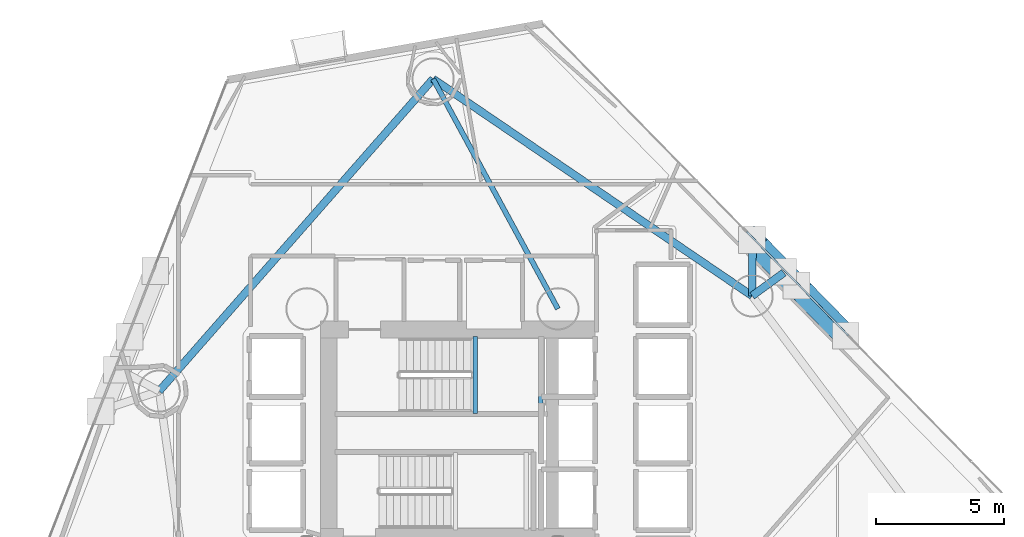
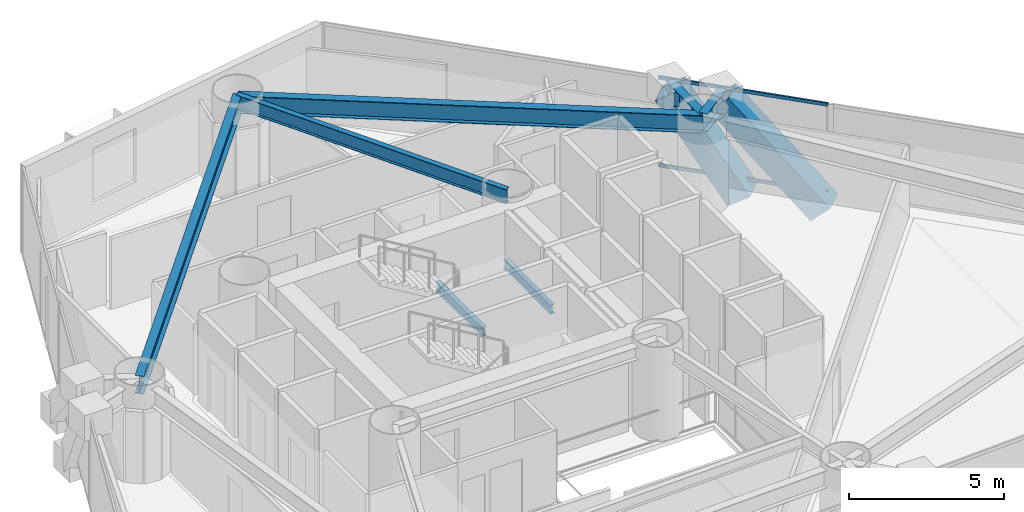
# One storey, part 9 of 23: 7 beams, 4 members, 1 element without a shape of its own.
"""IFC4 building model written with IfcOpenShell, lengths in metres."""

from ifc_helpers import new_model, si_unit, direction, frame, origin, origin_2d, place, context, subcontext, project, spatial, hollow_rectangle, i_section, extrude, material, layer, layer_set, material_profile, profile_set, type_object, element, aggregate, save


model = new_model("IFC4")

# Units and contexts
model_context = context("Model", 3, precision=1e-05, world=origin(), true_north=direction((0.0, 1.0)))
body_context = subcontext(model_context, "Body", "Model", "MODEL_VIEW")
ifc_project = project(units=[si_unit("LENGTHUNIT", "METRE"), si_unit("AREAUNIT", "SQUARE_METRE"), si_unit("VOLUMEUNIT", "CUBIC_METRE"), si_unit("PLANEANGLEUNIT", "RADIAN"), si_unit("MASSUNIT", "GRAM", prefix="KILO")], contexts=[model_context])

# Site, building, storey
site_placement = place(None, origin())
site = spatial("IfcSite", under=ifc_project, at=site_placement, CompositionType="ELEMENT")
building_placement = place(site_placement, origin())
building = spatial("IfcBuilding", under=site, at=building_placement, Name="Qianvela Tower", CompositionType="ELEMENT")
storey_placement = place(building_placement, frame((0.0, 0.0, 56.199951171875)))
storey = spatial("IfcBuildingStorey", under=building, at=storey_placement, Name="L13", CompositionType="ELEMENT", Elevation=56.199951171875)

# Beams
ifc_material_1 = material(Name="Steel Q355B", Category="steel")
ifc_material_profile_1 = material_profile(ifc_material_1, i_section(OverallWidth=0.175048828125, OverallDepth=0.35009765625, WebThickness=0.007080078125, FlangeThickness=0.010986328125, at=origin_2d()), Name="HN350x175x7x11")
ifc_profile_set_1 = profile_set([ifc_material_profile_1], Name="Steel Q355B")
beam_type_1 = type_object("IfcBeamType", Name="BM-HN350-JOIST", PredefinedType="JOIST", material=ifc_profile_set_1)
for number, where, z_axis, x_axis, name in (
    (1, (35.179931640625, 29.4599609375, 1.47509765625), (0.0, 1.0, 0.0), (-1.0, 0.0, 0.0), "L13 Stair ST-1 Landing Support Beam 1.1"),
    (2, (37.719970703125, 29.4599609375, 1.47509765625), (0.0, 1.0, 0.0), (-1.0, 0.0, 0.0), "L13 Stair ST-1 Landing Support Beam 1.2"),
):
    element("IfcBeam", number, at=place(storey_placement, frame(where, z_axis=z_axis, x_axis=x_axis)), inside=storey, type_object=beam_type_1, Name=name, PredefinedType="JOIST", context=body_context, shape_type="SweptSolid", body=[
        extrude(i_section(OverallWidth=0.175048828125, OverallDepth=0.35009765625, WebThickness=0.007080078125, FlangeThickness=0.010986328125, at=origin_2d()), origin(), (0.0, 0.0, 1.0), 3.02001953125),
    ])
ifc_material_2 = material(Name="Steel Q355B", Category="steel")
ifc_material_profile_2 = material_profile(ifc_material_2, i_section(OverallWidth=0.199951171875, OverallDepth=0.550048828125, WebThickness=0.010009765625, FlangeThickness=0.01611328125, at=origin_2d()), Name="HN550x200x10x16")
ifc_profile_set_2 = profile_set([ifc_material_profile_2], Name="Steel Q355B")
beam_type_2 = type_object("IfcBeamType", Name="BM-HN550-GIRD", PredefinedType="BEAM", material=ifc_profile_set_2)
beam_1_placement = place(storey_placement, frame((38.39990234375, 33.550048828125, 3.2431640625), z_axis=(-0.477069714043, 0.878865454972, 0.0), x_axis=(-0.878865454972, -0.477069714043, 0.0)))
element("IfcBeam", 3, at=beam_1_placement, inside=storey, type_object=beam_type_2, Name="L13 Radial Primary Floor Girder 3", PredefinedType="BEAM", context=body_context, shape_type="SweptSolid", body=[
    extrude(i_section(OverallWidth=0.199951171875, OverallDepth=0.550048828125, WebThickness=0.010009765625, FlangeThickness=0.01611328125, at=origin_2d()), origin(), (0.0, 0.0, 1.0), 10.216552734375),
])
ifc_material_3 = material(Name="Steel Q355B", Category="steel")
ifc_material_profile_3 = material_profile(ifc_material_3, i_section(OverallWidth=0.300048828125, OverallDepth=0.699951171875, WebThickness=0.012939453125, FlangeThickness=0.02392578125, at=origin_2d()), Name="HN700x300x13x24")
ifc_profile_set_3 = profile_set([ifc_material_profile_3], Name="Steel Q355B")
beam_type_3 = type_object("IfcBeamType", Name="BM-HN700-SPAND", PredefinedType="SPANDREL", material=ifc_profile_set_3)
beam_2_placement = place(storey_placement, frame((45.98388671875, 34.056884765625, 3.16796875), z_axis=(0.807559889058, 0.589785575938, 0.0), x_axis=(-0.589785575938, 0.807559889058, 0.0)))
element("IfcBeam", 4, at=beam_2_placement, inside=storey, type_object=beam_type_3, Name="L13 Mega-Brace Column Tie Bracket F1-1", PredefinedType="SPANDREL", context=body_context, shape_type="SweptSolid", body=[
    extrude(i_section(OverallWidth=0.300048828125, OverallDepth=0.699951171875, WebThickness=0.012939453125, FlangeThickness=0.02392578125, at=origin_2d()), origin(), (0.0, 0.0, 1.0), 1.537109375),
])
beam_3_placement = place(storey_placement, frame((45.98388671875, 34.056884765625, 3.16796875), z_axis=(0.007348586198, 0.999972998776, 0.0), x_axis=(-0.999972998776, 0.007348586198, 0.0)))
element("IfcBeam", 5, at=beam_3_placement, inside=storey, type_object=beam_type_3, Name="L13 Mega-Brace Column Tie Bracket F1-2", PredefinedType="SPANDREL", context=body_context, shape_type="SweptSolid", body=[
    extrude(i_section(OverallWidth=0.300048828125, OverallDepth=0.699951171875, WebThickness=0.012939453125, FlangeThickness=0.02392578125, at=origin_2d()), origin(), (0.0, 0.0, 1.0), 2.159423828125),
])
beam_4_placement = place(storey_placement, frame((45.98388671875, 34.056884765625, 3.16796875), z_axis=(-0.826904197504, 0.562342820839, 0.0), x_axis=(-0.562342820839, -0.826904197504, 0.0)))
element("IfcBeam", 6, at=beam_4_placement, inside=storey, type_object=beam_type_3, Name="L13 Perimeter Ring Spandrel Girder 2", PredefinedType="SPANDREL", context=body_context, shape_type="SweptSolid", body=[
    extrude(i_section(OverallWidth=0.300048828125, OverallDepth=0.699951171875, WebThickness=0.012939453125, FlangeThickness=0.02392578125, at=origin_2d()), origin(), (0.0, 0.0, 1.0), 15.06591796875),
])
beam_5_placement = place(storey_placement, frame((33.52587890625, 42.529052734375, 3.16796875), z_axis=(-0.659601693124, -0.751615331422, 0.0), x_axis=(0.751615331422, -0.659601693124, 0.0)))
element("IfcBeam", 7, at=beam_5_placement, inside=storey, type_object=beam_type_3, Name="L13 Perimeter Ring Spandrel Girder 3", PredefinedType="SPANDREL", context=body_context, shape_type="SweptSolid", body=[
    extrude(i_section(OverallWidth=0.300048828125, OverallDepth=0.699951171875, WebThickness=0.012939453125, FlangeThickness=0.02392578125, at=origin_2d()), origin(), (0.0, 0.0, 1.0), 16.217041015625),
])

# Curtain wall, members
ifc_material_4 = material(Name="Anodised Architectural Aluminium and Insulated Spandrel Panel", Category="aluminium")
ifc_layer = layer(ifc_material_4, 0.179931640625)
ifc_layer_set = layer_set([ifc_layer], Name="Anodised Architectural Aluminium and Insulated Spandrel Panel")
curtain_wall_type = type_object("IfcCurtainWallType", Name="CW-BRACEBAY", PredefinedType="USERDEFINED", material=ifc_layer_set)
curtain_wall_placement = place(storey_placement, origin())
curtain_wall = element("IfcCurtainWall", 8, at=curtain_wall_placement, inside=storey, type_object=curtain_wall_type, Name="L13 CW-BRACEBAY Curtain Wall 02B", ObjectType="CURTAIN_WALL_SYSTEM", PredefinedType="USERDEFINED")
ifc_material_5 = material(Name="Anodised Architectural Aluminium 6063-T6", Category="aluminium")
ifc_material_profile_4 = material_profile(ifc_material_5, hollow_rectangle(XDim=0.06494140625, YDim=0.1298828125, WallThickness=0.00439453125, at=origin_2d()), Name="ALU-TRAN-65x130")
ifc_profile_set_4 = profile_set([ifc_material_profile_4], Name="Anodised Architectural Aluminium 6063-T6")
member_type_1 = type_object("IfcMemberType", Name="CW-BRACEBAY-TRAN", PredefinedType="USERDEFINED", material=ifc_profile_set_4)
member_1_placement = place(storey_placement, frame((49.744140625, 32.50244140625, 0.032470703125), z_axis=(-0.699232665919, 0.714894173225, 0.0), x_axis=(-0.714894173225, -0.699232665919, 0.0)))
member_1 = element("IfcMember", 9, at=member_1_placement, type_object=member_type_1, Name="CW-9 transom 1.1", ObjectType="TRANSOM", PredefinedType="USERDEFINED", context=body_context, shape_type="SweptSolid", body=[
    extrude(hollow_rectangle(XDim=0.06494140625, YDim=0.1298828125, WallThickness=0.00439453125, at=origin_2d()), origin(), (0.0, 0.0, 1.0), 5.68994140625),
])
member_2_placement = place(storey_placement, frame((49.744140625, 32.50244140625, 3.487548828125), z_axis=(-0.699232665919, 0.714894173225, 0.0), x_axis=(-0.714894173225, -0.699232665919, 0.0)))
member_2 = element("IfcMember", 10, at=member_2_placement, type_object=member_type_1, Name="CW-9 transom 1.2", ObjectType="TRANSOM", PredefinedType="USERDEFINED", context=body_context, shape_type="SweptSolid", body=[
    extrude(hollow_rectangle(XDim=0.06494140625, YDim=0.1298828125, WallThickness=0.00439453125, at=origin_2d()), origin(), (0.0, 0.0, 1.0), 5.68994140625),
])
aggregate(curtain_wall, [member_1, member_2])

# Members
ifc_material_6 = material(Name="Steel Q420GJC", Category="steel")
ifc_material_profile_5 = material_profile(ifc_material_6, hollow_rectangle(XDim=0.89990234375, YDim=0.89990234375, WallThickness=0.035888671875, at=origin_2d()), Name="MBOX-900x900x36")
ifc_profile_set_5 = profile_set([ifc_material_profile_5], Name="Steel Q420GJC")
member_type_2 = type_object("IfcMemberType", Name="MBR-MBRACE-900", PredefinedType="BRACE", material=ifc_profile_set_5)
member_3_placement = place(storey_placement, frame((49.610595703125, 32.524658203125, -0.531982421875), z_axis=(-0.474004059108, 0.484579525784, 0.735188979202), x_axis=(-0.71486435499, -0.699263150727, 0.0)))
element("IfcMember", 11, at=member_3_placement, inside=storey, type_object=member_type_2, Name="L13 Tier 2 Exterior Mega-Brace F1A", PredefinedType="BRACE", context=body_context, shape_type="SweptSolid", body=[
    extrude(hollow_rectangle(XDim=0.89990234375, YDim=0.89990234375, WallThickness=0.035888671875, at=origin_2d()), origin(), (0.0, 0.0, 1.0), 5.03271484375),
])
member_4_placement = place(storey_placement, frame((47.694580078125, 34.4833984375, -0.531982421875), z_axis=(-0.383163587807, 0.391774005511, 0.836480001904), x_axis=(-0.714919393735, -0.699206879587, 0.0)))
element("IfcMember", 12, at=member_4_placement, inside=storey, type_object=member_type_2, Name="L13 Tier 2 Exterior Mega-Brace F1B", PredefinedType="BRACE", context=body_context, shape_type="SweptSolid", body=[
    extrude(hollow_rectangle(XDim=0.89990234375, YDim=0.89990234375, WallThickness=0.035888671875, at=origin_2d()), origin(), (0.0, 0.0, 1.0), 4.42333984375),
])

save(model, "model.ifc")
